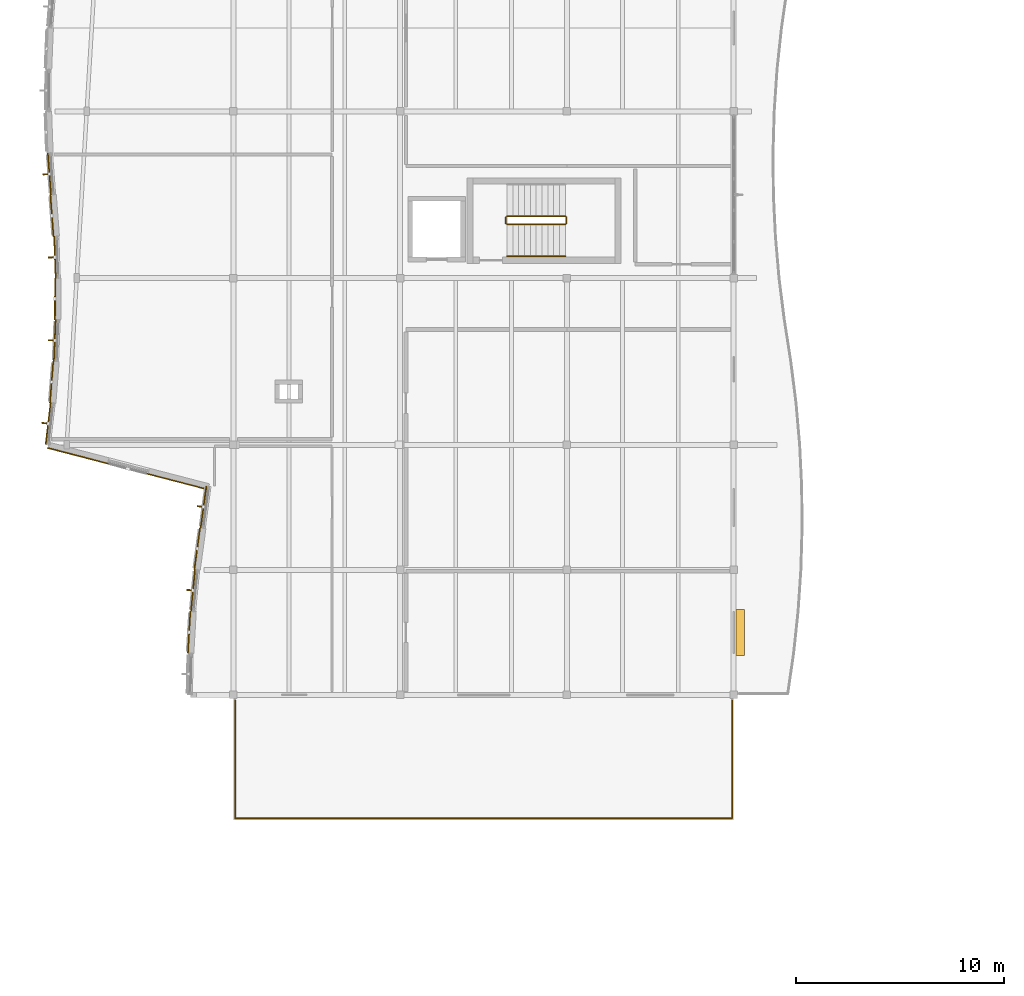
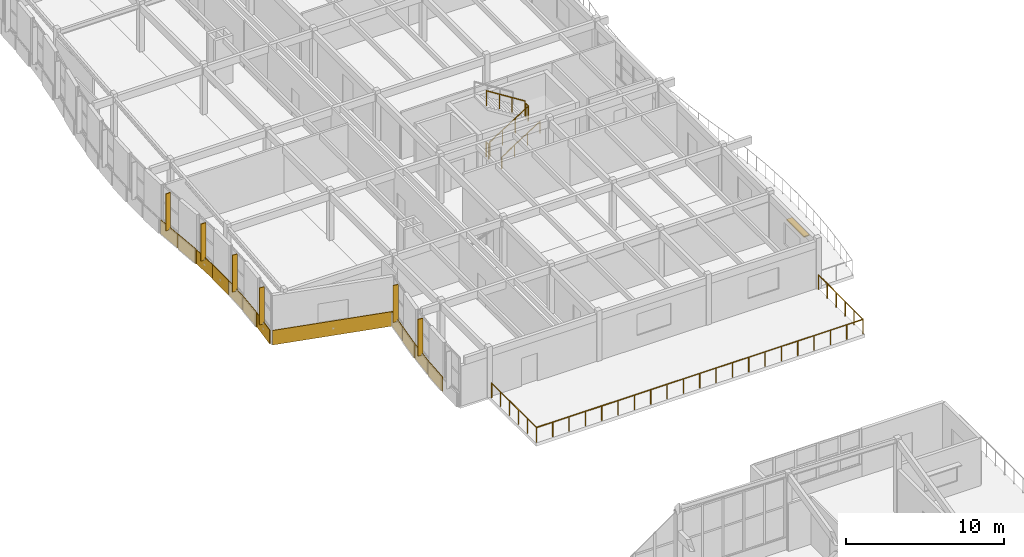
# One storey, part 54 of 63: 12 coverings, 7 shading devices, 6 railings.
"""IFC4 building model written with IfcOpenShell, lengths in metres."""

from ifc_helpers import new_model, si_unit, direction, frame, origin, origin_2d, place, context, subcontext, project, spatial, polyline, rectangle, circle, outline, extrude, material, layer, layer_set, type_object, element, save


model = new_model("IFC4")

# Units and contexts
model_context = context("Model", 3, precision=1e-05, world=origin(), true_north=direction((0.0, 1.0)))
body_context = subcontext(model_context, "Body", "Model", "MODEL_VIEW")
ifc_project = project(units=[si_unit("LENGTHUNIT", "METRE"), si_unit("AREAUNIT", "SQUARE_METRE"), si_unit("VOLUMEUNIT", "CUBIC_METRE"), si_unit("PLANEANGLEUNIT", "RADIAN"), si_unit("MASSUNIT", "GRAM", prefix="KILO")], contexts=[model_context])

# Site, building, storey
site_placement = place(None, origin())
site = spatial("IfcSite", under=ifc_project, at=site_placement, CompositionType="ELEMENT")
building_placement = place(site_placement, origin())
building = spatial("IfcBuilding", under=site, at=building_placement, Name="Tonlespit Floodbar School", CompositionType="ELEMENT")
storey_placement = place(building_placement, frame((0.0, 0.0, 8.39990234375)))
storey = spatial("IfcBuildingStorey", under=building, at=storey_placement, Name="L02", CompositionType="ELEMENT", Elevation=8.39990234375)

# Coverings
ifc_material_1 = material(Name="White Architectural Aluminium", Category="aluminium")
ifc_layer_1 = layer(ifc_material_1, 0.050048828125)
ifc_layer_set_1 = layer_set([ifc_layer_1], Name="White Architectural Aluminium")
covering_type = type_object("IfcCoveringType", Name="Cladding_WhiteBand_50", PredefinedType="CLADDING", material=ifc_layer_set_1)
covering_1_placement = place(storey_placement, frame((0.0, 0.0, -0.119873046875)))
element("IfcCovering", 1, at=covering_1_placement, inside=storey, type_object=covering_type, Name="L02 curved white spandrel cladding 0544", PredefinedType="CLADDING", context=body_context, shape_type="SweptSolid", body=[
    extrude(outline(polyline([(9.839599609375, 46.007568359375), (9.955078125, 48.007568359375), (9.9052734375, 48.010498046875), (9.789794921875, 46.010498046875), (9.839599609375, 46.007568359375)])), origin(), (0.0, 0.0, 1.0), 1.119873046875),
])
covering_2_placement = place(storey_placement, frame((0.0, 0.0, -0.119873046875)))
element("IfcCovering", 2, at=covering_2_placement, inside=storey, type_object=covering_type, Name="L02 curved white spandrel cladding 0545", PredefinedType="CLADDING", context=body_context, shape_type="SweptSolid", body=[
    extrude(outline(polyline([(9.985595703125, 48.009521484375), (10.1787109375, 50.009521484375), (10.12890625, 50.014404296875), (9.935791015625, 48.014404296875), (9.985595703125, 48.009521484375)])), origin(), (0.0, 0.0, 1.0), 1.070068359375),
])
covering_3_placement = place(storey_placement, frame((0.0, 0.0, -0.119873046875)))
element("IfcCovering", 3, at=covering_3_placement, inside=storey, type_object=covering_type, Name="L02 curved white spandrel cladding 0546", PredefinedType="CLADDING", context=body_context, shape_type="SweptSolid", body=[
    extrude(outline(polyline([(10.1494140625, 50.017578125), (10.421142578125, 52.017578125), (10.37158203125, 52.024169921875), (10.099853515625, 50.024169921875), (10.1494140625, 50.017578125)])), origin(), (0.0, 0.0, 1.0), 1.119873046875),
])
covering_4_placement = place(storey_placement, frame((0.0, 0.0, -0.119873046875)))
element("IfcCovering", 4, at=covering_4_placement, inside=storey, type_object=covering_type, Name="L02 curved white spandrel cladding 0547", PredefinedType="CLADDING", context=body_context, shape_type="SweptSolid", body=[
    extrude(outline(polyline([(10.450927734375, 52.013427734375), (10.72265625, 54.013427734375), (10.673095703125, 54.020263671875), (10.4013671875, 52.020263671875), (10.450927734375, 52.013427734375)])), origin(), (0.0, 0.0, 1.0), 1.070068359375),
])
covering_5_placement = place(storey_placement, frame((0.0, 0.0, -0.119873046875)))
element("IfcCovering", 5, at=covering_5_placement, inside=storey, type_object=covering_type, Name="L02 curved white spandrel cladding 0548", PredefinedType="CLADDING", context=body_context, shape_type="SweptSolid", body=[
    extrude(outline(polyline([(10.7890625, 53.874267578125), (3.082275390625, 55.874267578125), (3.069580078125, 55.82568359375), (10.776611328125, 53.82568359375), (10.7890625, 53.874267578125)])), origin(), (0.0, 0.0, 1.0), 1.119873046875),
])
covering_6_placement = place(storey_placement, frame((0.0, 0.0, -0.119873046875)))
element("IfcCovering", 6, at=covering_6_placement, inside=storey, type_object=covering_type, Name="L02 curved white spandrel cladding 0549", PredefinedType="CLADDING", context=body_context, shape_type="SweptSolid", body=[
    extrude(outline(polyline([(3.015625, 56.01171875), (3.251220703125, 58.01171875), (3.20166015625, 58.017578125), (2.966064453125, 56.017578125), (3.015625, 56.01171875)])), origin(), (0.0, 0.0, 1.0), 1.070068359375),
])
covering_7_placement = place(storey_placement, frame((0.0, 0.0, -0.119873046875)))
element("IfcCovering", 7, at=covering_7_placement, inside=storey, type_object=covering_type, Name="L02 curved white spandrel cladding 0550", PredefinedType="CLADDING", context=body_context, shape_type="SweptSolid", body=[
    extrude(outline(polyline([(3.220947265625, 58.01025390625), (3.37939453125, 60.01025390625), (3.32958984375, 60.014404296875), (3.171142578125, 58.014404296875), (3.220947265625, 58.01025390625)])), origin(), (0.0, 0.0, 1.0), 1.119873046875),
])
covering_8_placement = place(storey_placement, frame((0.0, 0.0, -0.119873046875)))
element("IfcCovering", 8, at=covering_8_placement, inside=storey, type_object=covering_type, Name="L02 curved white spandrel cladding 0551", PredefinedType="CLADDING", context=body_context, shape_type="SweptSolid", body=[
    extrude(outline(polyline([(3.4091796875, 60.004150390625), (3.49072265625, 62.004150390625), (3.440673828125, 62.006103515625), (3.359130859375, 60.006103515625), (3.4091796875, 60.004150390625)])), origin(), (0.0, 0.0, 1.0), 1.070068359375),
])
covering_9_placement = place(storey_placement, frame((0.0, 0.0, -0.119873046875)))
element("IfcCovering", 9, at=covering_9_placement, inside=storey, type_object=covering_type, Name="L02 curved white spandrel cladding 0552", PredefinedType="CLADDING", context=body_context, shape_type="SweptSolid", body=[
    extrude(outline(polyline([(3.460693359375, 62.000244140625), (3.465087890625, 64.000244140625), (3.4150390625, 64.00048828125), (3.41064453125, 62.00048828125), (3.460693359375, 62.000244140625)])), origin(), (0.0, 0.0, 1.0), 1.119873046875),
])
covering_10_placement = place(storey_placement, frame((0.0, 0.0, -0.119873046875)))
element("IfcCovering", 10, at=covering_10_placement, inside=storey, type_object=covering_type, Name="L02 curved white spandrel cladding 0553", PredefinedType="CLADDING", context=body_context, shape_type="SweptSolid", body=[
    extrude(outline(polyline([(3.4951171875, 63.996337890625), (3.421875, 65.996337890625), (3.371826171875, 65.994384765625), (3.445068359375, 63.994384765625), (3.4951171875, 63.996337890625)])), origin(), (0.0, 0.0, 1.0), 1.070068359375),
])
covering_11_placement = place(storey_placement, frame((0.0, 0.0, -0.119873046875)))
element("IfcCovering", 11, at=covering_11_placement, inside=storey, type_object=covering_type, Name="L02 curved white spandrel cladding 0554", PredefinedType="CLADDING", context=body_context, shape_type="SweptSolid", body=[
    extrude(outline(polyline([(3.39208984375, 65.990234375), (3.240478515625, 67.990234375), (3.1904296875, 67.986328125), (3.34228515625, 65.986328125), (3.39208984375, 65.990234375)])), origin(), (0.0, 0.0, 1.0), 1.119873046875),
])
covering_12_placement = place(storey_placement, frame((0.0, 0.0, -0.119873046875)))
element("IfcCovering", 12, at=covering_12_placement, inside=storey, type_object=covering_type, Name="L02 curved white spandrel cladding 0555", PredefinedType="CLADDING", context=body_context, shape_type="SweptSolid", body=[
    extrude(outline(polyline([(3.270263671875, 67.992431640625), (3.118408203125, 69.992431640625), (3.068603515625, 69.988525390625), (3.220458984375, 67.988525390625), (3.270263671875, 67.992431640625)])), origin(), (0.0, 0.0, 1.0), 1.070068359375),
])

# Railings
ifc_material_2 = material(Name="Galvanised Steel", Category="steel")
railing_type_1 = type_object("IfcRailingType", Name="Guard_Int_1150", PredefinedType="BALUSTRADE", material=ifc_material_2)
railing_1_placement = place(storey_placement, frame((25.1201171875, 66.570068359375, 0.177490234375)))
element("IfcRailing", 13, at=railing_1_placement, inside=storey, type_object=railing_type_1, Name="L02 ST-C3 stair guard 1", PredefinedType="BALUSTRADE", context=body_context, shape_type="SweptSolid", body=[
    extrude(circle(Radius=0.02392578125, at=origin_2d()), frame((0.0, 0.0, 1.1259765625), z_axis=(0.844887892834, 0.0, 0.53494340686), x_axis=(0.0, 1.0, 0.0)), (0.0, 0.0, 1.0), 3.313720703125),
    extrude(circle(Radius=0.02099609375, at=origin_2d()), origin(), (0.0, 0.0, 1.0), 1.101806640625),
    extrude(circle(Radius=0.02099609375, at=origin_2d()), frame((0.933349609375, 0.0, 0.5908203125)), (0.0, 0.0, 1.0), 1.101806640625),
    extrude(circle(Radius=0.02099609375, at=origin_2d()), frame((1.866455078125, 0.0, 1.181884765625)), (0.0, 0.0, 1.0), 1.101806640625),
    extrude(circle(Radius=0.02099609375, at=origin_2d()), frame((2.7998046875, 0.0, 1.772705078125)), (0.0, 0.0, 1.0), 1.101806640625),
])
railing_2_placement = place(storey_placement, frame((27.969970703125, 66.6201171875, 1.9501953125)))
element("IfcRailing", 14, at=railing_2_placement, inside=storey, type_object=railing_type_1, Name="L02 ST-C3 stair guard 2", PredefinedType="BALUSTRADE", context=body_context, shape_type="SweptSolid", body=[
    extrude(circle(Radius=0.02392578125, at=origin_2d()), frame((0.0, 0.0, 1.1259765625), z_axis=(0.0, 1.0, 0.0), x_axis=(-1.0, 0.0, 0.0)), (0.0, 0.0, 1.0), 0.2998046875),
    extrude(circle(Radius=0.02099609375, at=origin_2d()), origin(), (0.0, 0.0, 1.0), 1.101806640625),
    extrude(circle(Radius=0.02099609375, at=origin_2d()), frame((0.0, 0.2998046875, 0.0)), (0.0, 0.0, 1.0), 1.101806640625),
])
railing_3_placement = place(storey_placement, frame((27.919921875, 66.969970703125, 2.12744140625)))
element("IfcRailing", 15, at=railing_3_placement, inside=storey, type_object=railing_type_1, Name="L02 ST-C3 stair guard 3", PredefinedType="BALUSTRADE", context=body_context, shape_type="SweptSolid", body=[
    extrude(circle(Radius=0.02392578125, at=origin_2d()), frame((0.0, 0.0, 1.1259765625), z_axis=(-0.844887892834, 0.0, 0.53494340686), x_axis=(0.0, -1.0, 0.0)), (0.0, 0.0, 1.0), 3.313720703125),
    extrude(circle(Radius=0.02099609375, at=origin_2d()), origin(), (0.0, 0.0, 1.0), 1.101806640625),
    extrude(circle(Radius=0.02099609375, at=origin_2d()), frame((-0.933349609375, 0.0, 0.5908203125)), (0.0, 0.0, 1.0), 1.101806640625),
    extrude(circle(Radius=0.02099609375, at=origin_2d()), frame((-1.866455078125, 0.0, 1.181884765625)), (0.0, 0.0, 1.0), 1.101806640625),
    extrude(circle(Radius=0.02099609375, at=origin_2d()), frame((-2.7998046875, 0.0, 1.772705078125)), (0.0, 0.0, 1.0), 1.101806640625),
])
railing_4_placement = place(storey_placement, frame((25.070068359375, 66.6201171875, 0.0)))
element("IfcRailing", 16, at=railing_4_placement, inside=storey, type_object=railing_type_1, Name="L02 ST-C3 stair guard 4", PredefinedType="BALUSTRADE", context=body_context, shape_type="SweptSolid", body=[
    extrude(circle(Radius=0.02392578125, at=origin_2d()), frame((0.0, 0.0, 1.1259765625), z_axis=(0.0, 1.0, 0.0), x_axis=(-1.0, 0.0, 0.0)), (0.0, 0.0, 1.0), 0.2998046875),
    extrude(circle(Radius=0.02099609375, at=origin_2d()), origin(), (0.0, 0.0, 1.0), 1.101806640625),
    extrude(circle(Radius=0.02099609375, at=origin_2d()), frame((0.0, 0.2998046875, 0.0)), (0.0, 0.0, 1.0), 1.101806640625),
])
ifc_material_3 = material(Name="Anodised Aluminium", Category="aluminium")
railing_type_2 = type_object("IfcRailingType", Name="Guardrail_Terrace_1150", PredefinedType="GUARDRAIL", material=ifc_material_3)
railing_5_placement = place(storey_placement, frame((35.919921875, 43.73876953125, 0.0)))
element("IfcRailing", 17, at=railing_5_placement, inside=storey, type_object=railing_type_2, Name="L02 terrace balustrade 018", PredefinedType="GUARDRAIL", context=body_context, shape_type="SweptSolid", body=[
    extrude(circle(Radius=0.02392578125, at=origin_2d()), frame((0.0, 0.0, 1.1259765625), z_axis=(0.0, -1.0, 0.0), x_axis=(1.0, 0.0, 0.0)), (0.0, 0.0, 1.0), 5.658203125),
    extrude(circle(Radius=0.02392578125, at=origin_2d()), frame((0.0, -5.658203125, 1.1259765625), z_axis=(-0.99999999979, -2.048215e-05, 0.0), x_axis=(2.048215e-05, -0.99999999979, 0.0)), (0.0, 0.0, 1.0), 23.83935546875),
    extrude(circle(Radius=0.02392578125, at=origin_2d()), frame((-23.83935546875, -5.65869140625, 1.1259765625), z_axis=(-8.6288722e-05, 0.999999996277, 0.0), x_axis=(-0.999999996277, -8.6288722e-05, 0.0)), (0.0, 0.0, 1.0), 5.65869140625),
    extrude(circle(Radius=0.02099609375, at=origin_2d()), origin(), (0.0, 0.0, 1.0), 1.101806640625),
    extrude(circle(Radius=0.02099609375, at=origin_2d()), frame((0.0, -1.131591796875, 0.0)), (0.0, 0.0, 1.0), 1.101806640625),
    extrude(circle(Radius=0.02099609375, at=origin_2d()), frame((0.0, -2.26318359375, 0.0)), (0.0, 0.0, 1.0), 1.101806640625),
    extrude(circle(Radius=0.02099609375, at=origin_2d()), frame((0.0, -3.39501953125, 0.0)), (0.0, 0.0, 1.0), 1.101806640625),
    extrude(circle(Radius=0.02099609375, at=origin_2d()), frame((0.0, -4.526611328125, 0.0)), (0.0, 0.0, 1.0), 1.101806640625),
    extrude(circle(Radius=0.02099609375, at=origin_2d()), frame((0.0, -5.658203125, 0.0)), (0.0, 0.0, 1.0), 1.101806640625),
    extrude(circle(Radius=0.02099609375, at=origin_2d()), frame((-1.19189453125, -5.658203125, 0.0)), (0.0, 0.0, 1.0), 1.101806640625),
    extrude(circle(Radius=0.02099609375, at=origin_2d()), frame((-2.384033203125, -5.658203125, 0.0)), (0.0, 0.0, 1.0), 1.101806640625),
    extrude(circle(Radius=0.02099609375, at=origin_2d()), frame((-3.575927734375, -5.658203125, 0.0)), (0.0, 0.0, 1.0), 1.101806640625),
    extrude(circle(Radius=0.02099609375, at=origin_2d()), frame((-4.767822265625, -5.658203125, 0.0)), (0.0, 0.0, 1.0), 1.101806640625),
    extrude(circle(Radius=0.02099609375, at=origin_2d()), frame((-5.9599609375, -5.658203125, 0.0)), (0.0, 0.0, 1.0), 1.101806640625),
    extrude(circle(Radius=0.02099609375, at=origin_2d()), frame((-7.15185546875, -5.658447265625, 0.0)), (0.0, 0.0, 1.0), 1.101806640625),
    extrude(circle(Radius=0.02099609375, at=origin_2d()), frame((-8.34375, -5.658447265625, 0.0)), (0.0, 0.0, 1.0), 1.101806640625),
    extrude(circle(Radius=0.02099609375, at=origin_2d()), frame((-9.53564453125, -5.658447265625, 0.0)), (0.0, 0.0, 1.0), 1.101806640625),
    extrude(circle(Radius=0.02099609375, at=origin_2d()), frame((-10.727783203125, -5.658447265625, 0.0)), (0.0, 0.0, 1.0), 1.101806640625),
    extrude(circle(Radius=0.02099609375, at=origin_2d()), frame((-11.919677734375, -5.658447265625, 0.0)), (0.0, 0.0, 1.0), 1.101806640625),
    extrude(circle(Radius=0.02099609375, at=origin_2d()), frame((-13.111572265625, -5.658447265625, 0.0)), (0.0, 0.0, 1.0), 1.101806640625),
    extrude(circle(Radius=0.02099609375, at=origin_2d()), frame((-14.3037109375, -5.658447265625, 0.0)), (0.0, 0.0, 1.0), 1.101806640625),
    extrude(circle(Radius=0.02099609375, at=origin_2d()), frame((-15.49560546875, -5.658447265625, 0.0)), (0.0, 0.0, 1.0), 1.101806640625),
    extrude(circle(Radius=0.02099609375, at=origin_2d()), frame((-16.6875, -5.658447265625, 0.0)), (0.0, 0.0, 1.0), 1.101806640625),
    extrude(circle(Radius=0.02099609375, at=origin_2d()), frame((-17.87939453125, -5.65869140625, 0.0)), (0.0, 0.0, 1.0), 1.101806640625),
    extrude(circle(Radius=0.02099609375, at=origin_2d()), frame((-19.071533203125, -5.65869140625, 0.0)), (0.0, 0.0, 1.0), 1.101806640625),
    extrude(circle(Radius=0.02099609375, at=origin_2d()), frame((-20.263427734375, -5.65869140625, 0.0)), (0.0, 0.0, 1.0), 1.101806640625),
    extrude(circle(Radius=0.02099609375, at=origin_2d()), frame((-21.455322265625, -5.65869140625, 0.0)), (0.0, 0.0, 1.0), 1.101806640625),
    extrude(circle(Radius=0.02099609375, at=origin_2d()), frame((-22.6474609375, -5.65869140625, 0.0)), (0.0, 0.0, 1.0), 1.101806640625),
    extrude(circle(Radius=0.02099609375, at=origin_2d()), frame((-23.83935546875, -5.65869140625, 0.0)), (0.0, 0.0, 1.0), 1.101806640625),
    extrude(circle(Radius=0.02099609375, at=origin_2d()), frame((-23.83935546875, -4.52685546875, 0.0)), (0.0, 0.0, 1.0), 1.101806640625),
    extrude(circle(Radius=0.02099609375, at=origin_2d()), frame((-23.839599609375, -3.395263671875, 0.0)), (0.0, 0.0, 1.0), 1.101806640625),
    extrude(circle(Radius=0.02099609375, at=origin_2d()), frame((-23.839599609375, -2.263427734375, 0.0)), (0.0, 0.0, 1.0), 1.101806640625),
    extrude(circle(Radius=0.02099609375, at=origin_2d()), frame((-23.83984375, -1.1318359375, 0.0)), (0.0, 0.0, 1.0), 1.101806640625),
    extrude(circle(Radius=0.02099609375, at=origin_2d()), frame((-23.83984375, 0.0, 0.0)), (0.0, 0.0, 1.0), 1.101806640625),
])
railing_type_3 = type_object("IfcRailingType", Name="Handrail_Int_920", PredefinedType="HANDRAIL", material=ifc_material_2)
railing_6_placement = place(storey_placement, frame((25.1201171875, 65.050048828125, 0.177490234375)))
element("IfcRailing", 18, at=railing_6_placement, inside=storey, type_object=railing_type_3, Name="L02 ST-C3 stair handrail 1", PredefinedType="HANDRAIL", context=body_context, shape_type="SweptSolid", body=[
    extrude(circle(Radius=0.02392578125, at=origin_2d()), frame((0.0, 0.0, 0.89599609375), z_axis=(0.844887892834, 0.0, 0.53494340686), x_axis=(0.0, 1.0, 0.0)), (0.0, 0.0, 1.0), 3.313720703125),
    extrude(circle(Radius=0.02099609375, at=origin_2d()), origin(), (0.0, 0.0, 1.0), 0.871826171875),
    extrude(circle(Radius=0.02099609375, at=origin_2d()), frame((0.933349609375, 0.0, 0.5908203125)), (0.0, 0.0, 1.0), 0.871826171875),
    extrude(circle(Radius=0.02099609375, at=origin_2d()), frame((1.866455078125, 0.0, 1.181884765625)), (0.0, 0.0, 1.0), 0.871826171875),
    extrude(circle(Radius=0.02099609375, at=origin_2d()), frame((2.7998046875, 0.0, 1.772705078125)), (0.0, 0.0, 1.0), 0.871826171875),
])

# Shading devices
ifc_layer_2 = layer(ifc_material_3, 0.080078125)
ifc_layer_set_2 = layer_set([ifc_layer_2], Name="Anodised Aluminium")
shading_device_type_1 = type_object("IfcShadingDeviceType", Name="Shading_MonsoonJalousie_400", PredefinedType="JALOUSIE", material=ifc_layer_set_2)
shading_device_placement = place(storey_placement, frame((36.318115234375, 47.0, 2.6201171875), z_axis=(0.0, 0.0, 1.0), x_axis=(0.0, -1.0, 0.0)))
element("IfcShadingDevice", 19, at=shading_device_placement, inside=storey, type_object=shading_device_type_1, Name="L02 monsoon jalousie 169", PredefinedType="JALOUSIE", context=body_context, shape_type="SweptSolid", body=[
    extrude(rectangle(XDim=2.199951171875, YDim=0.39990234375, at=origin_2d()), origin(), (0.0, 0.0, 1.0), 0.080078125),
])
ifc_material_4 = material(Name="Terracotta Anodised Aluminium", Category="masonry")
ifc_layer_3 = layer(ifc_material_4, 0.06005859375)
ifc_layer_set_3 = layer_set([ifc_layer_3], Name="Terracotta Anodised Aluminium")
shading_device_type_2 = type_object("IfcShadingDeviceType", Name="Shading_SolarFin_350", PredefinedType="USERDEFINED", material=ifc_layer_set_3)
for number, where, z_axis, x_axis, name in (
    (20, (9.9228515625, 49.02490234375, 0.800048828125), (0.0, 0.0, 1.0), (0.096153248998, 0.995366541887, 0.0), "L02 vertical solar fin 153"),
    (21, (10.42822265625, 53.034912109375, 0.800048828125), (0.0, 0.0, 1.0), (0.134662424626, 0.990891533617, 0.0), "L02 vertical solar fin 154"),
    (22, (2.974609375, 57.030517578125, 0.800048828125), (0.0, 0.0, 1.0), (0.116991411823, 0.99313292643, 0.0), "L02 vertical solar fin 155"),
    (23, (3.2900390625, 61.010498046875, 0.800048828125), (0.0, 0.0, 1.0), (0.040715999914, 0.999170759856, 0.0), "L02 vertical solar fin 156"),
    (24, (3.298583984375, 64.990478515625, 0.800048828125), (0.0, 0.0, 1.0), (-0.036575686496, 0.999330885722, 0.0), "L02 vertical solar fin 157"),
    (25, (3.034912109375, 68.980224609375, 0.800048828125), (0.0, 0.0, 1.0), (-0.075681836348, 0.997132017161, 0.0), "L02 vertical solar fin 158"),
):
    element("IfcShadingDevice", number, at=place(storey_placement, frame(where, z_axis=z_axis, x_axis=x_axis)), inside=storey, type_object=shading_device_type_2, Name=name, ObjectType="SOLAR FIN", PredefinedType="USERDEFINED", context=body_context, shape_type="SweptSolid", body=[
        extrude(rectangle(XDim=0.06005859375, YDim=0.35009765625, at=origin_2d()), origin(), (0.0, 0.0, 1.0), 2.85009765625),
    ])

save(model, "model.ifc")
